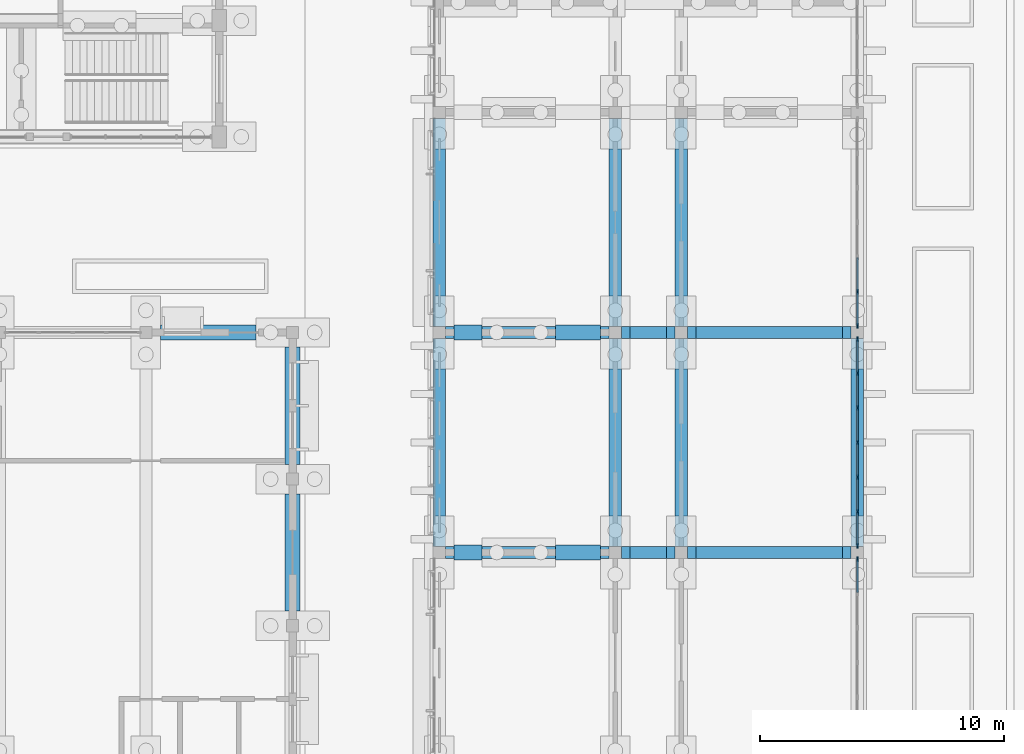
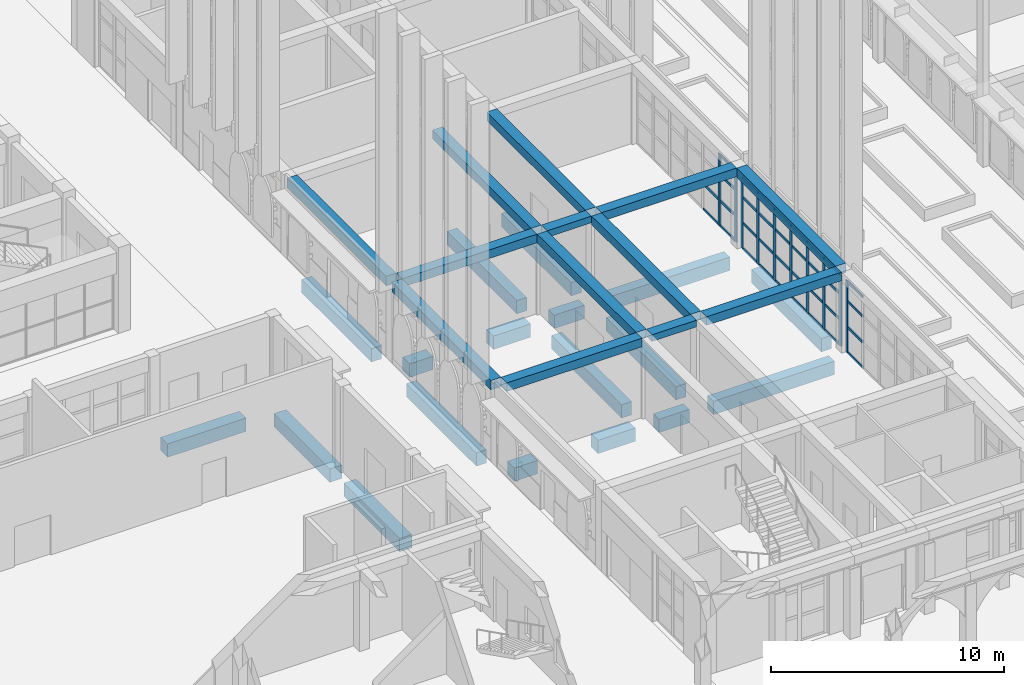
# One storey, part 24 of 161: 44 members, 31 beams, 3 elements without a shape of their own.
"""IFC4 building model written with IfcOpenShell, lengths in metres."""

import ifcopenshell
import ifcopenshell.guid

model = None  # the IFC model being written
_history = None  # IfcOwnerHistory: only IFC2X3 demands one
_inside = {}  # id of a spatial element -> (the spatial element, [elements in it])
_under = {}  # id of a project, library or spatial element -> (it, [spatial elements below it])
_declared = {}  # id of a project -> (the project, [libraries it declares])
_typed = {}  # id of a type object -> (the type object, [elements of that type])
_made_of = {}  # id of a material, layer set ... -> (it, [elements and type objects made of it])


def new_model(schema):
    """Start an empty IFC model of exactly this schema.

    Asked for "IFC4X3", IfcOpenShell would pick the latest addendum, in which some entities
    have other attributes; the version numbers below select the first issue.
    IFC2X3 requires an IfcOwnerHistory on every rooted entity: one is made here for all.
    """
    global model, _history
    if schema == "IFC4X3":
        model = ifcopenshell.file(schema_version=(4, 3, 0, 0))
    else:
        model = ifcopenshell.file(schema=schema)
    _inside.clear()
    _under.clear()
    _declared.clear()
    _typed.clear()
    _made_of.clear()
    _history = None
    if model.schema == "IFC2X3":
        org = make("IfcOrganization", Name="unknown")
        user = make(
            "IfcPersonAndOrganization",
            ThePerson=make("IfcPerson", FamilyName="unknown"),
            TheOrganization=org,
        )
        app = make(
            "IfcApplication",
            ApplicationDeveloper=org,
            Version="unknown",
            ApplicationFullName="unknown",
            ApplicationIdentifier="unknown",
        )
        _history = make(
            "IfcOwnerHistory",
            OwningUser=user,
            OwningApplication=app,
            ChangeAction="ADDED",
            CreationDate=0,
        )
    return model


def make(cls, **values):
    """One entity of the class cls with the attributes given. An attribute that is None is left unset."""
    return model.create_entity(
        cls, **{name: value for name, value in values.items() if value is not None}
    )


def rooted(cls, **values):
    """An entity with a GlobalId (a new one), such as an element, a storey or a relation."""
    return make(cls, GlobalId=ifcopenshell.guid.new(), OwnerHistory=_history, **values)


def si_unit(unit_type, name, prefix=None):
    """IfcSIUnit, for example si_unit("LENGTHUNIT", "METRE", prefix="MILLI")."""
    return make("IfcSIUnit", UnitType=unit_type, Prefix=prefix, Name=name)


def assignment(units):
    """IfcUnitAssignment: the units of a project."""
    return None if units is None else make("IfcUnitAssignment", Units=units)


def point(xyz):
    """IfcCartesianPoint."""
    return None if xyz is None else make("IfcCartesianPoint", Coordinates=xyz)


def direction(xyz):
    """IfcDirection."""
    return None if xyz is None else make("IfcDirection", DirectionRatios=xyz)


def frame(location, z_axis=None, x_axis=None):
    """IfcAxis2Placement3D, a coordinate frame: its origin and axes. An axis left out is left unset."""
    return make(
        "IfcAxis2Placement3D",
        Location=point(location),
        Axis=direction(z_axis),
        RefDirection=direction(x_axis),
    )


def frame_2d(location, x_axis=None):
    """IfcAxis2Placement2D, a coordinate frame in the plane: its origin and x axis."""
    return make(
        "IfcAxis2Placement2D", Location=point(location), RefDirection=direction(x_axis)
    )


def origin():
    """The frame at (0, 0, 0) with its axes left unset."""
    return frame((0.0, 0.0, 0.0))


def origin_2d():
    """The frame at (0, 0) in the plane with its x axis left unset."""
    return frame_2d((0.0, 0.0))


def place(relative_to, where):
    """IfcLocalPlacement: puts the frame where relative to a parent placement (None: the world)."""
    return make(
        "IfcLocalPlacement", PlacementRelTo=relative_to, RelativePlacement=where
    )


def context(
    kind, dimensions, precision=None, world=None, true_north=None, identifier=None
):
    """IfcGeometricRepresentationContext, for example the 3D "Model" context."""
    return make(
        "IfcGeometricRepresentationContext",
        ContextIdentifier=identifier,
        ContextType=kind,
        CoordinateSpaceDimension=dimensions,
        Precision=precision,
        WorldCoordinateSystem=world,
        TrueNorth=true_north,
    )


def subcontext(parent, identifier, kind, view, scale=None):
    """IfcGeometricRepresentationSubContext, for example "Body" below "Model"."""
    return make(
        "IfcGeometricRepresentationSubContext",
        ContextIdentifier=identifier,
        ContextType=kind,
        ParentContext=parent,
        TargetScale=scale,
        TargetView=view,
    )


def project(units=None, contexts=None):
    """IfcProject with its units and contexts."""
    return rooted(
        "IfcProject",
        Name="project",
        RepresentationContexts=contexts,
        UnitsInContext=assignment(units),
    )


def spatial(cls, under=None, at=None, **own):
    """A site, building, storey or space (cls), placed at a placement, below another one or the project."""
    s = rooted(cls, ObjectPlacement=at, **own)
    if under is not None:
        _under.setdefault(under.id(), (under, []))[1].append(s)
    return s


def profile(cls, at=None, kind="AREA", **sizes):
    """A parametric profile (cls). Its sizes go by their IFC names, for example OverallWidth=200.0."""
    return make(cls, ProfileType=kind, Position=at, **sizes)


def rectangle(**sizes):
    """IfcRectangleProfileDef."""
    return profile("IfcRectangleProfileDef", **sizes)


def extrude(swept, where, along, depth):
    """IfcExtrudedAreaSolid: the profile swept, set in the frame where, extruded along a direction by depth."""
    return make(
        "IfcExtrudedAreaSolid",
        SweptArea=swept,
        Position=where,
        ExtrudedDirection=direction(along),
        Depth=depth,
    )


def shape(context_of_items, identifier, shape_type, items):
    """IfcShapeRepresentation: the items that make up one representation, for example the "Body"."""
    return make(
        "IfcShapeRepresentation",
        ContextOfItems=context_of_items,
        RepresentationIdentifier=identifier,
        RepresentationType=shape_type,
        Items=items,
    )


def material(Name=None, Category=None):
    """IfcMaterial."""
    return make("IfcMaterial", Name=Name, Category=Category)


def layer(
    of_material, thickness, ventilated=None, Name=None, Category=None, Priority=None
):
    """IfcMaterialLayer: one layer of a wall or slab, of a material (None: an air gap)."""
    return make(
        "IfcMaterialLayer",
        Material=of_material,
        LayerThickness=thickness,
        IsVentilated=ventilated,
        Name=Name,
        Category=Category,
        Priority=Priority,
    )


def layer_set(layers, Name=None):
    """IfcMaterialLayerSet."""
    return make("IfcMaterialLayerSet", MaterialLayers=layers, LayerSetName=Name)


def material_profile(
    of_material, cross_section, Name=None, Category=None, Priority=None
):
    """IfcMaterialProfile: a cross section and its material."""
    return make(
        "IfcMaterialProfile",
        Name=Name,
        Material=of_material,
        Profile=cross_section,
        Priority=Priority,
        Category=Category,
    )


def profile_set(profiles, Name=None, composite=None):
    """IfcMaterialProfileSet."""
    return make(
        "IfcMaterialProfileSet",
        Name=Name,
        MaterialProfiles=profiles,
        CompositeProfile=composite,
    )


def made_of(thing, what):
    """Note that an element or type object is made of a material, layer set ...; save() writes the relation."""
    if what is not None:
        _made_of.setdefault(what.id(), (what, []))[1].append(thing)
    return thing


def type_object(cls, material=None, **own):
    """A type object (cls), such as IfcWallType, which elements share."""
    return made_of(rooted(cls, **own), material)


def element(
    cls,
    number,
    at=None,
    inside=None,
    cuts=None,
    type_object=None,
    material=None,
    context=None,
    identifier="Body",
    shape_type=None,
    held_by="IfcProductDefinitionShape",
    body=None,
    shapes=None,
    **own,
):
    """One element of the class cls, such as IfcWall. Its Tag is "e" and its number.

    at: its placement. inside: the storey or other place that contains it. cuts: it is an
    opening in that element (IfcRelVoidsElement). A single representation is given by context,
    identifier, shape_type and body (its items); several are given by shapes. held_by: the class
    of the entity that holds the representations. save() writes the other relations.
    """
    e = rooted(cls, Tag="e%d" % number, ObjectPlacement=at, **own)
    if body is not None:
        shapes = [shape(context, identifier, shape_type, body)]
    if shapes is not None:
        e.Representation = make(held_by, Representations=shapes)
    if inside is not None:
        _inside.setdefault(inside.id(), (inside, []))[1].append(e)
    if cuts is not None:
        rooted(
            "IfcRelVoidsElement", RelatingBuildingElement=cuts, RelatedOpeningElement=e
        )
    if type_object is not None:
        _typed.setdefault(type_object.id(), (type_object, []))[1].append(e)
    return made_of(e, material)


def aggregate(whole, parts):
    """IfcRelAggregates: a whole, such as a stair, and the parts it consists of."""
    return rooted("IfcRelAggregates", RelatingObject=whole, RelatedObjects=parts)


def save(model, path):
    """Write the relations noted so far, then the file.

    IfcRelAggregates (storeys below a building ...), IfcRelContainedInSpatialStructure (elements
    in a storey), IfcRelDefinesByType, IfcRelAssociatesMaterial and IfcRelDeclares: one each for
    every whole, place, type object, material and project.
    """
    for whole, parts in _under.values():
        aggregate(whole, parts)
    for where, things in _inside.values():
        rooted(
            "IfcRelContainedInSpatialStructure",
            RelatedElements=things,
            RelatingStructure=where,
        )
    for kind, things in _typed.values():
        rooted("IfcRelDefinesByType", RelatedObjects=things, RelatingType=kind)
    for what, things in _made_of.values():
        rooted("IfcRelAssociatesMaterial", RelatedObjects=things, RelatingMaterial=what)
    for by, libraries in _declared.values():
        rooted("IfcRelDeclares", RelatingContext=by, RelatedDefinitions=libraries)
    model.write(path)


model = new_model("IFC4")

# Units and contexts
model_context = context("Model", 3, precision=1e-05, world=origin(), true_north=direction((0.0, 1.0)))
body_context = subcontext(model_context, "Body", "Model", "MODEL_VIEW")
ifc_project = project(units=[si_unit("LENGTHUNIT", "METRE"), si_unit("AREAUNIT", "SQUARE_METRE"), si_unit("VOLUMEUNIT", "CUBIC_METRE"), si_unit("PLANEANGLEUNIT", "RADIAN"), si_unit("MASSUNIT", "GRAM", prefix="KILO")], contexts=[model_context])

# Site, building, storey
site_placement = place(None, origin())
site = spatial("IfcSite", under=ifc_project, at=site_placement, CompositionType="ELEMENT")
building_placement = place(site_placement, origin())
building = spatial("IfcBuilding", under=site, at=building_placement, Name="Elbe Cascade School", CompositionType="ELEMENT")
storey_placement = place(building_placement, origin())
storey = spatial("IfcBuildingStorey", under=building, at=storey_placement, Name="L00", CompositionType="ELEMENT", Elevation=0.0)

# Curtain wall, member
ifc_material_1 = material(Name="Aluminium frame with double glazing, bronze anodised", Category="aluminium")
ifc_layer = layer(ifc_material_1, 0.199951171875)
ifc_layer_set = layer_set([ifc_layer], Name="Aluminium frame with double glazing, bronze anodised")
curtain_wall_type = type_object("IfcCurtainWallType", Name="Bars envelope Curtain wall, aluminium, bronze anodised, ground floor tall run", PredefinedType="NOTDEFINED", material=ifc_layer_set)
curtain_wall_1_placement = place(storey_placement, origin())
curtain_wall_1 = element("IfcCurtainWall", 1, at=curtain_wall_1_placement, inside=storey, type_object=curtain_wall_type, Name="Curtain wall CW3 A.L00.e2", PredefinedType="NOTDEFINED")
ifc_material_2 = material(Name="Aluminium mullion, bronze anodised", Category="aluminium")
ifc_material_profile_1 = material_profile(ifc_material_2, rectangle(XDim=0.06005859375, YDim=0.199951171875, at=origin_2d()), Name="Bars envelope Curtain wall mullion 60 x 200, aluminium, ground floor tall run")
ifc_profile_set_1 = profile_set([ifc_material_profile_1], Name="Aluminium mullion, bronze anodised")
member_type_1 = type_object("IfcMemberType", Name="Bars envelope Curtain wall mullion 60 x 200, aluminium, ground floor tall run", PredefinedType="MULLION", material=ifc_profile_set_1)
member_1_placement = place(storey_placement, frame((86.10009765625, 23.719970703125, 0.0), z_axis=(0.0, 0.0, 1.0), x_axis=(1.0, 0.0, 0.0)))
member_1 = element("IfcMember", 2, at=member_1_placement, type_object=member_type_1, Name="CW3 mullion 1", PredefinedType="MULLION", context=body_context, shape_type="SweptSolid", body=[
    extrude(rectangle(XDim=0.06005859375, YDim=0.199951171875, at=origin_2d()), origin(), (0.0, 0.0, 1.0), 3.75),
])

# Curtain wall, members
curtain_wall_2_placement = place(storey_placement, origin())
curtain_wall_2 = element("IfcCurtainWall", 3, at=curtain_wall_2_placement, inside=storey, type_object=curtain_wall_type, Name="Curtain wall CW3 A.L00.e3", PredefinedType="NOTDEFINED")
member_2_placement = place(storey_placement, frame((86.10009765625, 32.719970703125, 0.0), z_axis=(0.0, 0.0, 1.0), x_axis=(1.0, 0.0, 0.0)))
member_2 = element("IfcMember", 4, at=member_2_placement, type_object=member_type_1, Name="CW3 mullion 1", PredefinedType="MULLION", context=body_context, shape_type="SweptSolid", body=[
    extrude(rectangle(XDim=0.06005859375, YDim=0.199951171875, at=origin_2d()), origin(), (0.0, 0.0, 1.0), 3.75),
])
member_3_placement = place(storey_placement, frame((86.10009765625, 31.333251953125, 0.0), z_axis=(0.0, 0.0, 1.0), x_axis=(1.0, 0.0, 0.0)))
member_3 = element("IfcMember", 5, at=member_3_placement, type_object=member_type_1, Name="CW3 mullion 2", PredefinedType="MULLION", context=body_context, shape_type="SweptSolid", body=[
    extrude(rectangle(XDim=0.06005859375, YDim=0.199951171875, at=origin_2d()), origin(), (0.0, 0.0, 1.0), 3.75),
])
member_4_placement = place(storey_placement, frame((86.10009765625, 29.916748046875, 0.0), z_axis=(0.0, 0.0, 1.0), x_axis=(1.0, 0.0, 0.0)))
member_4 = element("IfcMember", 6, at=member_4_placement, type_object=member_type_1, Name="CW3 mullion 3", PredefinedType="MULLION", context=body_context, shape_type="SweptSolid", body=[
    extrude(rectangle(XDim=0.06005859375, YDim=0.199951171875, at=origin_2d()), origin(), (0.0, 0.0, 1.0), 3.75),
])
member_5_placement = place(storey_placement, frame((86.10009765625, 28.5, 0.0), z_axis=(0.0, 0.0, 1.0), x_axis=(1.0, 0.0, 0.0)))
member_5 = element("IfcMember", 7, at=member_5_placement, type_object=member_type_1, Name="CW3 mullion 4", PredefinedType="MULLION", context=body_context, shape_type="SweptSolid", body=[
    extrude(rectangle(XDim=0.06005859375, YDim=0.199951171875, at=origin_2d()), origin(), (0.0, 0.0, 1.0), 3.75),
])
member_6_placement = place(storey_placement, frame((86.10009765625, 27.083251953125, 0.0), z_axis=(0.0, 0.0, 1.0), x_axis=(1.0, 0.0, 0.0)))
member_6 = element("IfcMember", 8, at=member_6_placement, type_object=member_type_1, Name="CW3 mullion 5", PredefinedType="MULLION", context=body_context, shape_type="SweptSolid", body=[
    extrude(rectangle(XDim=0.06005859375, YDim=0.199951171875, at=origin_2d()), origin(), (0.0, 0.0, 1.0), 3.75),
])
member_7_placement = place(storey_placement, frame((86.10009765625, 25.666748046875, 0.0), z_axis=(0.0, 0.0, 1.0), x_axis=(1.0, 0.0, 0.0)))
member_7 = element("IfcMember", 9, at=member_7_placement, type_object=member_type_1, Name="CW3 mullion 6", PredefinedType="MULLION", context=body_context, shape_type="SweptSolid", body=[
    extrude(rectangle(XDim=0.06005859375, YDim=0.199951171875, at=origin_2d()), origin(), (0.0, 0.0, 1.0), 3.75),
])
member_8_placement = place(storey_placement, frame((86.10009765625, 24.280029296875, 0.0), z_axis=(0.0, 0.0, 1.0), x_axis=(1.0, 0.0, 0.0)))
member_8 = element("IfcMember", 10, at=member_8_placement, type_object=member_type_1, Name="CW3 mullion 7", PredefinedType="MULLION", context=body_context, shape_type="SweptSolid", body=[
    extrude(rectangle(XDim=0.06005859375, YDim=0.199951171875, at=origin_2d()), origin(), (0.0, 0.0, 1.0), 3.75),
])

curtain_wall_3_placement = place(storey_placement, origin())
curtain_wall_3 = element("IfcCurtainWall", 11, at=curtain_wall_3_placement, inside=storey, type_object=curtain_wall_type, Name="Curtain wall CW3 A.L00.e4", PredefinedType="NOTDEFINED")
member_9_placement = place(storey_placement, frame((86.10009765625, 34.666748046875, 0.0), z_axis=(0.0, 0.0, 1.0), x_axis=(1.0, 0.0, 0.0)))
member_9 = element("IfcMember", 12, at=member_9_placement, type_object=member_type_1, Name="CW3 mullion 6", PredefinedType="MULLION", context=body_context, shape_type="SweptSolid", body=[
    extrude(rectangle(XDim=0.06005859375, YDim=0.199951171875, at=origin_2d()), origin(), (0.0, 0.0, 1.0), 3.75),
])
member_10_placement = place(storey_placement, frame((86.10009765625, 33.280029296875, 0.0), z_axis=(0.0, 0.0, 1.0), x_axis=(1.0, 0.0, 0.0)))
member_10 = element("IfcMember", 13, at=member_10_placement, type_object=member_type_1, Name="CW3 mullion 7", PredefinedType="MULLION", context=body_context, shape_type="SweptSolid", body=[
    extrude(rectangle(XDim=0.06005859375, YDim=0.199951171875, at=origin_2d()), origin(), (0.0, 0.0, 1.0), 3.75),
])

# Member
ifc_material_3 = material(Name="Aluminium transom, bronze anodised", Category="aluminium")
ifc_material_profile_2 = material_profile(ifc_material_3, rectangle(XDim=0.06005859375, YDim=0.139892578125, at=origin_2d()), Name="Bars envelope Curtain wall transom 60 x 140, aluminium, ground floor tall run")
ifc_profile_set_2 = profile_set([ifc_material_profile_2], Name="Aluminium transom, bronze anodised")
member_type_2 = type_object("IfcMemberType", Name="Bars envelope Curtain wall transom 60 x 140, aluminium, ground floor tall run", PredefinedType="USERDEFINED", material=ifc_profile_set_2)
member_11_placement = place(storey_placement, frame((86.10009765625, 23.68994140625, 0.030029296875), z_axis=(0.0, -1.0, 0.0), x_axis=(1.0, 0.0, 0.0)))
member_11 = element("IfcMember", 14, at=member_11_placement, type_object=member_type_2, Name="CW3 transom 1.1", ObjectType="TRANSOM", PredefinedType="USERDEFINED", context=body_context, shape_type="SweptSolid", body=[
    extrude(rectangle(XDim=0.06005859375, YDim=0.139892578125, at=origin_2d()), origin(), (0.0, 0.0, 1.0), 1.32666015625),
])

member_12_placement = place(storey_placement, frame((86.10009765625, 23.68994140625, 1.35009765625), z_axis=(0.0, -1.0, 0.0), x_axis=(1.0, 0.0, 0.0)))
member_12 = element("IfcMember", 15, at=member_12_placement, type_object=member_type_2, Name="CW3 transom 1.2", ObjectType="TRANSOM", PredefinedType="USERDEFINED", context=body_context, shape_type="SweptSolid", body=[
    extrude(rectangle(XDim=0.06005859375, YDim=0.139892578125, at=origin_2d()), origin(), (0.0, 0.0, 1.0), 1.32666015625),
])

member_13_placement = place(storey_placement, frame((86.10009765625, 23.68994140625, 2.699951171875), z_axis=(0.0, -1.0, 0.0), x_axis=(1.0, 0.0, 0.0)))
member_13 = element("IfcMember", 16, at=member_13_placement, type_object=member_type_2, Name="CW3 transom 1.3", ObjectType="TRANSOM", PredefinedType="USERDEFINED", context=body_context, shape_type="SweptSolid", body=[
    extrude(rectangle(XDim=0.06005859375, YDim=0.139892578125, at=origin_2d()), origin(), (0.0, 0.0, 1.0), 1.32666015625),
])

member_14_placement = place(storey_placement, frame((86.10009765625, 23.68994140625, 3.719970703125), z_axis=(0.0, -1.0, 0.0), x_axis=(1.0, 0.0, 0.0)))
member_14 = element("IfcMember", 17, at=member_14_placement, type_object=member_type_2, Name="CW3 transom 1.4", ObjectType="TRANSOM", PredefinedType="USERDEFINED", context=body_context, shape_type="SweptSolid", body=[
    extrude(rectangle(XDim=0.06005859375, YDim=0.139892578125, at=origin_2d()), origin(), (0.0, 0.0, 1.0), 1.32666015625),
])

aggregate(curtain_wall_1, [member_1, member_11, member_12, member_13, member_14])

member_15_placement = place(storey_placement, frame((86.10009765625, 32.68994140625, 0.030029296875), z_axis=(0.0, -1.0, 0.0), x_axis=(1.0, 0.0, 0.0)))
member_15 = element("IfcMember", 18, at=member_15_placement, type_object=member_type_2, Name="CW3 transom 1.1", ObjectType="TRANSOM", PredefinedType="USERDEFINED", context=body_context, shape_type="SweptSolid", body=[
    extrude(rectangle(XDim=0.06005859375, YDim=0.139892578125, at=origin_2d()), origin(), (0.0, 0.0, 1.0), 1.32666015625),
])

member_16_placement = place(storey_placement, frame((86.10009765625, 32.68994140625, 1.35009765625), z_axis=(0.0, -1.0, 0.0), x_axis=(1.0, 0.0, 0.0)))
member_16 = element("IfcMember", 19, at=member_16_placement, type_object=member_type_2, Name="CW3 transom 1.2", ObjectType="TRANSOM", PredefinedType="USERDEFINED", context=body_context, shape_type="SweptSolid", body=[
    extrude(rectangle(XDim=0.06005859375, YDim=0.139892578125, at=origin_2d()), origin(), (0.0, 0.0, 1.0), 1.32666015625),
])

member_17_placement = place(storey_placement, frame((86.10009765625, 32.68994140625, 2.699951171875), z_axis=(0.0, -1.0, 0.0), x_axis=(1.0, 0.0, 0.0)))
member_17 = element("IfcMember", 20, at=member_17_placement, type_object=member_type_2, Name="CW3 transom 1.3", ObjectType="TRANSOM", PredefinedType="USERDEFINED", context=body_context, shape_type="SweptSolid", body=[
    extrude(rectangle(XDim=0.06005859375, YDim=0.139892578125, at=origin_2d()), origin(), (0.0, 0.0, 1.0), 1.32666015625),
])

member_18_placement = place(storey_placement, frame((86.10009765625, 32.68994140625, 3.719970703125), z_axis=(0.0, -1.0, 0.0), x_axis=(1.0, 0.0, 0.0)))
member_18 = element("IfcMember", 21, at=member_18_placement, type_object=member_type_2, Name="CW3 transom 1.4", ObjectType="TRANSOM", PredefinedType="USERDEFINED", context=body_context, shape_type="SweptSolid", body=[
    extrude(rectangle(XDim=0.06005859375, YDim=0.139892578125, at=origin_2d()), origin(), (0.0, 0.0, 1.0), 1.32666015625),
])

member_19_placement = place(storey_placement, frame((86.10009765625, 31.30322265625, 0.030029296875), z_axis=(0.0, -1.0, 0.0), x_axis=(1.0, 0.0, 0.0)))
member_19 = element("IfcMember", 22, at=member_19_placement, type_object=member_type_2, Name="CW3 transom 2.1", ObjectType="TRANSOM", PredefinedType="USERDEFINED", context=body_context, shape_type="SweptSolid", body=[
    extrude(rectangle(XDim=0.06005859375, YDim=0.139892578125, at=origin_2d()), origin(), (0.0, 0.0, 1.0), 1.3564453125),
])

member_20_placement = place(storey_placement, frame((86.10009765625, 31.30322265625, 1.35009765625), z_axis=(0.0, -1.0, 0.0), x_axis=(1.0, 0.0, 0.0)))
member_20 = element("IfcMember", 23, at=member_20_placement, type_object=member_type_2, Name="CW3 transom 2.2", ObjectType="TRANSOM", PredefinedType="USERDEFINED", context=body_context, shape_type="SweptSolid", body=[
    extrude(rectangle(XDim=0.06005859375, YDim=0.139892578125, at=origin_2d()), origin(), (0.0, 0.0, 1.0), 1.3564453125),
])

member_21_placement = place(storey_placement, frame((86.10009765625, 31.30322265625, 2.699951171875), z_axis=(0.0, -1.0, 0.0), x_axis=(1.0, 0.0, 0.0)))
member_21 = element("IfcMember", 24, at=member_21_placement, type_object=member_type_2, Name="CW3 transom 2.3", ObjectType="TRANSOM", PredefinedType="USERDEFINED", context=body_context, shape_type="SweptSolid", body=[
    extrude(rectangle(XDim=0.06005859375, YDim=0.139892578125, at=origin_2d()), origin(), (0.0, 0.0, 1.0), 1.3564453125),
])

member_22_placement = place(storey_placement, frame((86.10009765625, 31.30322265625, 3.719970703125), z_axis=(0.0, -1.0, 0.0), x_axis=(1.0, 0.0, 0.0)))
member_22 = element("IfcMember", 25, at=member_22_placement, type_object=member_type_2, Name="CW3 transom 2.4", ObjectType="TRANSOM", PredefinedType="USERDEFINED", context=body_context, shape_type="SweptSolid", body=[
    extrude(rectangle(XDim=0.06005859375, YDim=0.139892578125, at=origin_2d()), origin(), (0.0, 0.0, 1.0), 1.3564453125),
])

member_23_placement = place(storey_placement, frame((86.10009765625, 29.88671875, 0.030029296875), z_axis=(0.0, -1.0, 0.0), x_axis=(1.0, 0.0, 0.0)))
member_23 = element("IfcMember", 26, at=member_23_placement, type_object=member_type_2, Name="CW3 transom 3.1", ObjectType="TRANSOM", PredefinedType="USERDEFINED", context=body_context, shape_type="SweptSolid", body=[
    extrude(rectangle(XDim=0.06005859375, YDim=0.139892578125, at=origin_2d()), origin(), (0.0, 0.0, 1.0), 1.356689453125),
])

member_24_placement = place(storey_placement, frame((86.10009765625, 29.88671875, 1.35009765625), z_axis=(0.0, -1.0, 0.0), x_axis=(1.0, 0.0, 0.0)))
member_24 = element("IfcMember", 27, at=member_24_placement, type_object=member_type_2, Name="CW3 transom 3.2", ObjectType="TRANSOM", PredefinedType="USERDEFINED", context=body_context, shape_type="SweptSolid", body=[
    extrude(rectangle(XDim=0.06005859375, YDim=0.139892578125, at=origin_2d()), origin(), (0.0, 0.0, 1.0), 1.356689453125),
])

member_25_placement = place(storey_placement, frame((86.10009765625, 29.88671875, 2.699951171875), z_axis=(0.0, -1.0, 0.0), x_axis=(1.0, 0.0, 0.0)))
member_25 = element("IfcMember", 28, at=member_25_placement, type_object=member_type_2, Name="CW3 transom 3.3", ObjectType="TRANSOM", PredefinedType="USERDEFINED", context=body_context, shape_type="SweptSolid", body=[
    extrude(rectangle(XDim=0.06005859375, YDim=0.139892578125, at=origin_2d()), origin(), (0.0, 0.0, 1.0), 1.356689453125),
])

member_26_placement = place(storey_placement, frame((86.10009765625, 29.88671875, 3.719970703125), z_axis=(0.0, -1.0, 0.0), x_axis=(1.0, 0.0, 0.0)))
member_26 = element("IfcMember", 29, at=member_26_placement, type_object=member_type_2, Name="CW3 transom 3.4", ObjectType="TRANSOM", PredefinedType="USERDEFINED", context=body_context, shape_type="SweptSolid", body=[
    extrude(rectangle(XDim=0.06005859375, YDim=0.139892578125, at=origin_2d()), origin(), (0.0, 0.0, 1.0), 1.356689453125),
])

member_27_placement = place(storey_placement, frame((86.10009765625, 28.469970703125, 0.030029296875), z_axis=(0.0, -1.0, 0.0), x_axis=(1.0, 0.0, 0.0)))
member_27 = element("IfcMember", 30, at=member_27_placement, type_object=member_type_2, Name="CW3 transom 4.1", ObjectType="TRANSOM", PredefinedType="USERDEFINED", context=body_context, shape_type="SweptSolid", body=[
    extrude(rectangle(XDim=0.06005859375, YDim=0.139892578125, at=origin_2d()), origin(), (0.0, 0.0, 1.0), 1.356689453125),
])

member_28_placement = place(storey_placement, frame((86.10009765625, 28.469970703125, 1.35009765625), z_axis=(0.0, -1.0, 0.0), x_axis=(1.0, 0.0, 0.0)))
member_28 = element("IfcMember", 31, at=member_28_placement, type_object=member_type_2, Name="CW3 transom 4.2", ObjectType="TRANSOM", PredefinedType="USERDEFINED", context=body_context, shape_type="SweptSolid", body=[
    extrude(rectangle(XDim=0.06005859375, YDim=0.139892578125, at=origin_2d()), origin(), (0.0, 0.0, 1.0), 1.356689453125),
])

member_29_placement = place(storey_placement, frame((86.10009765625, 28.469970703125, 2.699951171875), z_axis=(0.0, -1.0, 0.0), x_axis=(1.0, 0.0, 0.0)))
member_29 = element("IfcMember", 32, at=member_29_placement, type_object=member_type_2, Name="CW3 transom 4.3", ObjectType="TRANSOM", PredefinedType="USERDEFINED", context=body_context, shape_type="SweptSolid", body=[
    extrude(rectangle(XDim=0.06005859375, YDim=0.139892578125, at=origin_2d()), origin(), (0.0, 0.0, 1.0), 1.356689453125),
])

member_30_placement = place(storey_placement, frame((86.10009765625, 28.469970703125, 3.719970703125), z_axis=(0.0, -1.0, 0.0), x_axis=(1.0, 0.0, 0.0)))
member_30 = element("IfcMember", 33, at=member_30_placement, type_object=member_type_2, Name="CW3 transom 4.4", ObjectType="TRANSOM", PredefinedType="USERDEFINED", context=body_context, shape_type="SweptSolid", body=[
    extrude(rectangle(XDim=0.06005859375, YDim=0.139892578125, at=origin_2d()), origin(), (0.0, 0.0, 1.0), 1.356689453125),
])

member_31_placement = place(storey_placement, frame((86.10009765625, 27.05322265625, 0.030029296875), z_axis=(0.0, -1.0, 0.0), x_axis=(1.0, 0.0, 0.0)))
member_31 = element("IfcMember", 34, at=member_31_placement, type_object=member_type_2, Name="CW3 transom 5.1", ObjectType="TRANSOM", PredefinedType="USERDEFINED", context=body_context, shape_type="SweptSolid", body=[
    extrude(rectangle(XDim=0.06005859375, YDim=0.139892578125, at=origin_2d()), origin(), (0.0, 0.0, 1.0), 1.3564453125),
])

member_32_placement = place(storey_placement, frame((86.10009765625, 27.05322265625, 1.35009765625), z_axis=(0.0, -1.0, 0.0), x_axis=(1.0, 0.0, 0.0)))
member_32 = element("IfcMember", 35, at=member_32_placement, type_object=member_type_2, Name="CW3 transom 5.2", ObjectType="TRANSOM", PredefinedType="USERDEFINED", context=body_context, shape_type="SweptSolid", body=[
    extrude(rectangle(XDim=0.06005859375, YDim=0.139892578125, at=origin_2d()), origin(), (0.0, 0.0, 1.0), 1.3564453125),
])

member_33_placement = place(storey_placement, frame((86.10009765625, 27.05322265625, 2.699951171875), z_axis=(0.0, -1.0, 0.0), x_axis=(1.0, 0.0, 0.0)))
member_33 = element("IfcMember", 36, at=member_33_placement, type_object=member_type_2, Name="CW3 transom 5.3", ObjectType="TRANSOM", PredefinedType="USERDEFINED", context=body_context, shape_type="SweptSolid", body=[
    extrude(rectangle(XDim=0.06005859375, YDim=0.139892578125, at=origin_2d()), origin(), (0.0, 0.0, 1.0), 1.3564453125),
])

member_34_placement = place(storey_placement, frame((86.10009765625, 27.05322265625, 3.719970703125), z_axis=(0.0, -1.0, 0.0), x_axis=(1.0, 0.0, 0.0)))
member_34 = element("IfcMember", 37, at=member_34_placement, type_object=member_type_2, Name="CW3 transom 5.4", ObjectType="TRANSOM", PredefinedType="USERDEFINED", context=body_context, shape_type="SweptSolid", body=[
    extrude(rectangle(XDim=0.06005859375, YDim=0.139892578125, at=origin_2d()), origin(), (0.0, 0.0, 1.0), 1.3564453125),
])

member_35_placement = place(storey_placement, frame((86.10009765625, 25.63671875, 0.030029296875), z_axis=(0.0, -1.0, 0.0), x_axis=(1.0, 0.0, 0.0)))
member_35 = element("IfcMember", 38, at=member_35_placement, type_object=member_type_2, Name="CW3 transom 6.1", ObjectType="TRANSOM", PredefinedType="USERDEFINED", context=body_context, shape_type="SweptSolid", body=[
    extrude(rectangle(XDim=0.06005859375, YDim=0.139892578125, at=origin_2d()), origin(), (0.0, 0.0, 1.0), 1.32666015625),
])

member_36_placement = place(storey_placement, frame((86.10009765625, 25.63671875, 1.35009765625), z_axis=(0.0, -1.0, 0.0), x_axis=(1.0, 0.0, 0.0)))
member_36 = element("IfcMember", 39, at=member_36_placement, type_object=member_type_2, Name="CW3 transom 6.2", ObjectType="TRANSOM", PredefinedType="USERDEFINED", context=body_context, shape_type="SweptSolid", body=[
    extrude(rectangle(XDim=0.06005859375, YDim=0.139892578125, at=origin_2d()), origin(), (0.0, 0.0, 1.0), 1.32666015625),
])

member_37_placement = place(storey_placement, frame((86.10009765625, 25.63671875, 2.699951171875), z_axis=(0.0, -1.0, 0.0), x_axis=(1.0, 0.0, 0.0)))
member_37 = element("IfcMember", 40, at=member_37_placement, type_object=member_type_2, Name="CW3 transom 6.3", ObjectType="TRANSOM", PredefinedType="USERDEFINED", context=body_context, shape_type="SweptSolid", body=[
    extrude(rectangle(XDim=0.06005859375, YDim=0.139892578125, at=origin_2d()), origin(), (0.0, 0.0, 1.0), 1.32666015625),
])

member_38_placement = place(storey_placement, frame((86.10009765625, 25.63671875, 3.719970703125), z_axis=(0.0, -1.0, 0.0), x_axis=(1.0, 0.0, 0.0)))
member_38 = element("IfcMember", 41, at=member_38_placement, type_object=member_type_2, Name="CW3 transom 6.4", ObjectType="TRANSOM", PredefinedType="USERDEFINED", context=body_context, shape_type="SweptSolid", body=[
    extrude(rectangle(XDim=0.06005859375, YDim=0.139892578125, at=origin_2d()), origin(), (0.0, 0.0, 1.0), 1.32666015625),
])

aggregate(curtain_wall_2, [member_2, member_3, member_4, member_5, member_6, member_7, member_8, member_15, member_16, member_17, member_18, member_19, member_20, member_21, member_22, member_23, member_24, member_25, member_26, member_27, member_28, member_29, member_30, member_31, member_32, member_33, member_34, member_35, member_36, member_37, member_38])

member_39_placement = place(storey_placement, frame((86.10009765625, 36.05322265625, 0.030029296875), z_axis=(0.0, -1.0, 0.0), x_axis=(1.0, 0.0, 0.0)))
member_39 = element("IfcMember", 42, at=member_39_placement, type_object=member_type_2, Name="CW3 transom 5.1", ObjectType="TRANSOM", PredefinedType="USERDEFINED", context=body_context, shape_type="SweptSolid", body=[
    extrude(rectangle(XDim=0.06005859375, YDim=0.139892578125, at=origin_2d()), origin(), (0.0, 0.0, 1.0), 1.3564453125),
])

member_40_placement = place(storey_placement, frame((86.10009765625, 36.05322265625, 1.35009765625), z_axis=(0.0, -1.0, 0.0), x_axis=(1.0, 0.0, 0.0)))
member_40 = element("IfcMember", 43, at=member_40_placement, type_object=member_type_2, Name="CW3 transom 5.2", ObjectType="TRANSOM", PredefinedType="USERDEFINED", context=body_context, shape_type="SweptSolid", body=[
    extrude(rectangle(XDim=0.06005859375, YDim=0.139892578125, at=origin_2d()), origin(), (0.0, 0.0, 1.0), 1.3564453125),
])

member_41_placement = place(storey_placement, frame((86.10009765625, 34.63671875, 0.030029296875), z_axis=(0.0, -1.0, 0.0), x_axis=(1.0, 0.0, 0.0)))
member_41 = element("IfcMember", 44, at=member_41_placement, type_object=member_type_2, Name="CW3 transom 6.1", ObjectType="TRANSOM", PredefinedType="USERDEFINED", context=body_context, shape_type="SweptSolid", body=[
    extrude(rectangle(XDim=0.06005859375, YDim=0.139892578125, at=origin_2d()), origin(), (0.0, 0.0, 1.0), 1.32666015625),
])

member_42_placement = place(storey_placement, frame((86.10009765625, 34.63671875, 1.35009765625), z_axis=(0.0, -1.0, 0.0), x_axis=(1.0, 0.0, 0.0)))
member_42 = element("IfcMember", 45, at=member_42_placement, type_object=member_type_2, Name="CW3 transom 6.2", ObjectType="TRANSOM", PredefinedType="USERDEFINED", context=body_context, shape_type="SweptSolid", body=[
    extrude(rectangle(XDim=0.06005859375, YDim=0.139892578125, at=origin_2d()), origin(), (0.0, 0.0, 1.0), 1.32666015625),
])

member_43_placement = place(storey_placement, frame((86.10009765625, 34.63671875, 2.699951171875), z_axis=(0.0, -1.0, 0.0), x_axis=(1.0, 0.0, 0.0)))
member_43 = element("IfcMember", 46, at=member_43_placement, type_object=member_type_2, Name="CW3 transom 6.3", ObjectType="TRANSOM", PredefinedType="USERDEFINED", context=body_context, shape_type="SweptSolid", body=[
    extrude(rectangle(XDim=0.06005859375, YDim=0.139892578125, at=origin_2d()), origin(), (0.0, 0.0, 1.0), 1.32666015625),
])

member_44_placement = place(storey_placement, frame((86.10009765625, 34.63671875, 3.719970703125), z_axis=(0.0, -1.0, 0.0), x_axis=(1.0, 0.0, 0.0)))
member_44 = element("IfcMember", 47, at=member_44_placement, type_object=member_type_2, Name="CW3 transom 6.4", ObjectType="TRANSOM", PredefinedType="USERDEFINED", context=body_context, shape_type="SweptSolid", body=[
    extrude(rectangle(XDim=0.06005859375, YDim=0.139892578125, at=origin_2d()), origin(), (0.0, 0.0, 1.0), 1.32666015625),
])

aggregate(curtain_wall_3, [member_9, member_10, member_39, member_40, member_41, member_42, member_43, member_44])

# Beams
ifc_material_4 = material(Name="Concrete C30/37", Category="concrete")
ifc_material_profile_3 = material_profile(ifc_material_4, rectangle(XDim=0.5, YDim=0.699951171875, at=origin_2d()), Name="RC 500x700")
ifc_profile_set_3 = profile_set([ifc_material_profile_3], Name="Concrete C30/37")
beam_type_1 = type_object("IfcBeamType", Name="Found ground beam RC 500x700", PredefinedType="BEAM", material=ifc_profile_set_3)
beam_1_placement = place(storey_placement, frame((76.800048828125, 24.0, -0.64990234375), z_axis=(1.0, 0.0, 0.0), x_axis=(0.0, 1.0, 0.0)))
element("IfcBeam", 48, at=beam_1_placement, inside=storey, type_object=beam_type_1, Name="Ground beam 180", PredefinedType="BEAM", context=body_context, shape_type="SweptSolid", body=[
    extrude(rectangle(XDim=0.5, YDim=0.699951171875, at=origin_2d()), origin(), (0.0, 0.0, 1.0), 1.5),
])
beam_2_placement = place(storey_placement, frame((79.5, 24.0, -0.64990234375), z_axis=(1.0, 0.0, 0.0), x_axis=(0.0, 1.0, 0.0)))
element("IfcBeam", 49, at=beam_2_placement, inside=storey, type_object=beam_type_1, Name="Ground beam 181", PredefinedType="BEAM", context=body_context, shape_type="SweptSolid", body=[
    extrude(rectangle(XDim=0.5, YDim=0.699951171875, at=origin_2d()), origin(), (0.0, 0.0, 1.0), 6.0),
])
beam_3_placement = place(storey_placement, frame((76.800048828125, 33.0, -0.64990234375), z_axis=(1.0, 0.0, 0.0), x_axis=(0.0, 1.0, 0.0)))
element("IfcBeam", 50, at=beam_3_placement, inside=storey, type_object=beam_type_1, Name="Ground beam 182", PredefinedType="BEAM", context=body_context, shape_type="SweptSolid", body=[
    extrude(rectangle(XDim=0.5, YDim=0.699951171875, at=origin_2d()), origin(), (0.0, 0.0, 1.0), 1.5),
])
for number, where, z_axis, x_axis, name in (
    (51, (79.5, 33.0, -0.64990234375), (1.0, 0.0, 0.0), (0.0, 1.0, 0.0), "Ground beam 183"),
    (52, (69.0, 25.5, -0.64990234375), (0.0, 1.0, 0.0), (-1.0, 0.0, 0.0), "Ground beam 187"),
    (53, (69.0, 34.5, -0.64990234375), (0.0, 1.0, 0.0), (-1.0, 0.0, 0.0), "Ground beam 188"),
    (54, (76.199951171875, 25.5, -0.64990234375), (0.0, 1.0, 0.0), (-1.0, 0.0, 0.0), "Ground beam 192"),
    (55, (76.199951171875, 34.5, -0.64990234375), (0.0, 1.0, 0.0), (-1.0, 0.0, 0.0), "Ground beam 193"),
    (56, (78.89990234375, 25.5, -0.64990234375), (0.0, 1.0, 0.0), (-1.0, 0.0, 0.0), "Ground beam 198"),
    (57, (78.89990234375, 34.5, -0.64990234375), (0.0, 1.0, 0.0), (-1.0, 0.0, 0.0), "Ground beam 199"),
    (58, (86.10009765625, 25.5, -0.64990234375), (0.0, 1.0, 0.0), (-1.0, 0.0, 0.0), "Ground beam 205"),
):
    element("IfcBeam", number, at=place(storey_placement, frame(where, z_axis=z_axis, x_axis=x_axis)), inside=storey, type_object=beam_type_1, Name=name, PredefinedType="BEAM", context=body_context, shape_type="SweptSolid", body=[
        extrude(rectangle(XDim=0.5, YDim=0.699951171875, at=origin_2d()), origin(), (0.0, 0.0, 1.0), 6.0),
    ])
ifc_material_5 = material(Name="Concrete C30/37", Category="concrete")
ifc_material_profile_4 = material_profile(ifc_material_5, rectangle(XDim=0.60009765625, YDim=0.699951171875, at=origin_2d()), Name="RC 600x700")
ifc_profile_set_4 = profile_set([ifc_material_profile_4], Name="Concrete C30/37")
beam_type_2 = type_object("IfcBeamType", Name="Found ground beam RC 600x700", PredefinedType="BEAM", material=ifc_profile_set_4)
for number, where, z_axis, x_axis, name in (
    (59, (63.0, 21.60009765625, -0.64990234375), (0.0, 1.0, 0.0), (-1.0, 0.0, 0.0), "Ground beam 109"),
    (60, (63.0, 27.60009765625, -0.64990234375), (0.0, 1.0, 0.0), (-1.0, 0.0, 0.0), "Ground beam 110"),
):
    element("IfcBeam", number, at=place(storey_placement, frame(where, z_axis=z_axis, x_axis=x_axis)), inside=storey, type_object=beam_type_2, Name=name, PredefinedType="BEAM", context=body_context, shape_type="SweptSolid", body=[
        extrude(rectangle(XDim=0.60009765625, YDim=0.699951171875, at=origin_2d()), origin(), (0.0, 0.0, 1.0), 4.7998046875),
    ])
beam_4_placement = place(storey_placement, frame((69.60009765625, 24.0, -0.64990234375), z_axis=(1.0, 0.0, 0.0), x_axis=(0.0, 1.0, 0.0)))
element("IfcBeam", 61, at=beam_4_placement, inside=storey, type_object=beam_type_2, Name="Ground beam 146", PredefinedType="BEAM", context=body_context, shape_type="SweptSolid", body=[
    extrude(rectangle(XDim=0.60009765625, YDim=0.699951171875, at=origin_2d()), origin(), (0.0, 0.0, 1.0), 1.14990234375),
])
beam_5_placement = place(storey_placement, frame((73.75, 24.0, -0.64990234375), z_axis=(1.0, 0.0, 0.0), x_axis=(0.0, 1.0, 0.0)))
element("IfcBeam", 62, at=beam_5_placement, inside=storey, type_object=beam_type_2, Name="Ground beam 147", PredefinedType="BEAM", context=body_context, shape_type="SweptSolid", body=[
    extrude(rectangle(XDim=0.60009765625, YDim=0.699951171875, at=origin_2d()), origin(), (0.0, 0.0, 1.0), 1.85009765625),
])
beam_6_placement = place(storey_placement, frame((69.60009765625, 33.0, -0.64990234375), z_axis=(1.0, 0.0, 0.0), x_axis=(0.0, 1.0, 0.0)))
element("IfcBeam", 63, at=beam_6_placement, inside=storey, type_object=beam_type_2, Name="Ground beam 148", PredefinedType="BEAM", context=body_context, shape_type="SweptSolid", body=[
    extrude(rectangle(XDim=0.60009765625, YDim=0.699951171875, at=origin_2d()), origin(), (0.0, 0.0, 1.0), 1.14990234375),
])
beam_7_placement = place(storey_placement, frame((73.75, 33.0, -0.64990234375), z_axis=(1.0, 0.0, 0.0), x_axis=(0.0, 1.0, 0.0)))
element("IfcBeam", 64, at=beam_7_placement, inside=storey, type_object=beam_type_2, Name="Ground beam 149", PredefinedType="BEAM", context=body_context, shape_type="SweptSolid", body=[
    extrude(rectangle(XDim=0.60009765625, YDim=0.699951171875, at=origin_2d()), origin(), (0.0, 0.0, 1.0), 1.85009765625),
])
beam_8_placement = place(storey_placement, frame((57.60009765625, 33.0, -0.64990234375), z_axis=(1.0, 0.0, 0.0), x_axis=(0.0, 1.0, 0.0)))
element("IfcBeam", 65, at=beam_8_placement, inside=storey, type_object=beam_type_2, Name="Ground beam 166", PredefinedType="BEAM", context=body_context, shape_type="SweptSolid", body=[
    extrude(rectangle(XDim=0.60009765625, YDim=0.699951171875, at=origin_2d()), origin(), (0.0, 0.0, 1.0), 3.89990234375),
])
ifc_material_6 = material(Name="Concrete C30/37", Category="concrete")
ifc_material_profile_5 = material_profile(ifc_material_6, rectangle(XDim=0.5, YDim=0.35009765625, at=origin_2d()), Name="RC 500x350")
ifc_profile_set_5 = profile_set([ifc_material_profile_5], Name="Concrete C30/37")
beam_type_3 = type_object("IfcBeamType", Name="RC 500x350 beam", PredefinedType="BEAM", material=ifc_profile_set_5)
for number, where, z_axis, x_axis, name in (
    (66, (76.449951171875, 24.0, 4.074951171875), (1.0, 0.0, 0.0), (0.0, 1.0, 0.0), "RC 500x350 beam B8"),
    (67, (76.449951171875, 33.0, 4.074951171875), (1.0, 0.0, 0.0), (0.0, 1.0, 0.0), "RC 500x350 beam B8"),
):
    element("IfcBeam", number, at=place(storey_placement, frame(where, z_axis=z_axis, x_axis=x_axis)), inside=storey, type_object=beam_type_3, Name=name, PredefinedType="BEAM", context=body_context, shape_type="SweptSolid", body=[
        extrude(rectangle(XDim=0.5, YDim=0.35009765625, at=origin_2d()), origin(), (0.0, 0.0, 1.0), 2.199951171875),
    ])
ifc_material_7 = material(Name="Concrete C30/37", Category="concrete")
ifc_material_profile_6 = material_profile(ifc_material_7, rectangle(XDim=0.5, YDim=0.449951171875, at=origin_2d()), Name="RC 500x450")
ifc_profile_set_6 = profile_set([ifc_material_profile_6], Name="Concrete C30/37")
beam_type_4 = type_object("IfcBeamType", Name="RC 500x450 beam", PredefinedType="BEAM", material=ifc_profile_set_6)
for number, where, z_axis, x_axis, name in (
    (68, (76.199951171875, 24.25, 4.02490234375), (0.0, 1.0, 0.0), (-1.0, 0.0, 0.0), "RC 500x450 beam B7"),
    (69, (76.199951171875, 33.25, 4.02490234375), (0.0, 1.0, 0.0), (-1.0, 0.0, 0.0), "RC 500x450 beam B7"),
    (70, (78.89990234375, 24.25, 4.02490234375), (0.0, 1.0, 0.0), (-1.0, 0.0, 0.0), "RC 500x450 beam B7"),
    (71, (78.89990234375, 33.25, 4.02490234375), (0.0, 1.0, 0.0), (-1.0, 0.0, 0.0), "RC 500x450 beam B7"),
):
    element("IfcBeam", number, at=place(storey_placement, frame(where, z_axis=z_axis, x_axis=x_axis)), inside=storey, type_object=beam_type_4, Name=name, PredefinedType="BEAM", context=body_context, shape_type="SweptSolid", body=[
        extrude(rectangle(XDim=0.5, YDim=0.449951171875, at=origin_2d()), origin(), (0.0, 0.0, 1.0), 8.5),
    ])
beam_9_placement = place(storey_placement, frame((69.25, 24.0, 4.02490234375), z_axis=(1.0, 0.0, 0.0), x_axis=(0.0, 1.0, 0.0)))
element("IfcBeam", 72, at=beam_9_placement, inside=storey, type_object=beam_type_4, Name="RC 500x450 beam B7", PredefinedType="BEAM", context=body_context, shape_type="SweptSolid", body=[
    extrude(rectangle(XDim=0.5, YDim=0.449951171875, at=origin_2d()), origin(), (0.0, 0.0, 1.0), 6.699951171875),
])
beam_10_placement = place(storey_placement, frame((79.14990234375, 24.0, 4.02490234375), z_axis=(1.0, 0.0, 0.0), x_axis=(0.0, 1.0, 0.0)))
element("IfcBeam", 73, at=beam_10_placement, inside=storey, type_object=beam_type_4, Name="RC 500x450 beam B7", PredefinedType="BEAM", context=body_context, shape_type="SweptSolid", body=[
    extrude(rectangle(XDim=0.5, YDim=0.449951171875, at=origin_2d()), origin(), (0.0, 0.0, 1.0), 6.7001953125),
])
beam_11_placement = place(storey_placement, frame((69.25, 33.0, 4.02490234375), z_axis=(1.0, 0.0, 0.0), x_axis=(0.0, 1.0, 0.0)))
element("IfcBeam", 74, at=beam_11_placement, inside=storey, type_object=beam_type_4, Name="RC 500x450 beam B7", PredefinedType="BEAM", context=body_context, shape_type="SweptSolid", body=[
    extrude(rectangle(XDim=0.5, YDim=0.449951171875, at=origin_2d()), origin(), (0.0, 0.0, 1.0), 6.699951171875),
])
beam_12_placement = place(storey_placement, frame((79.14990234375, 33.0, 4.02490234375), z_axis=(1.0, 0.0, 0.0), x_axis=(0.0, 1.0, 0.0)))
element("IfcBeam", 75, at=beam_12_placement, inside=storey, type_object=beam_type_4, Name="RC 500x450 beam B7", PredefinedType="BEAM", context=body_context, shape_type="SweptSolid", body=[
    extrude(rectangle(XDim=0.5, YDim=0.449951171875, at=origin_2d()), origin(), (0.0, 0.0, 1.0), 6.7001953125),
])
ifc_material_8 = material(Name="Concrete C30/37", Category="concrete")
ifc_material_profile_7 = material_profile(ifc_material_8, rectangle(XDim=0.5, YDim=0.5, at=origin_2d()), Name="RC 500x500")
ifc_profile_set_7 = profile_set([ifc_material_profile_7], Name="Concrete C30/37")
beam_type_5 = type_object("IfcBeamType", Name="RC 500x500 beam", PredefinedType="BEAM", material=ifc_profile_set_7)
for number, where, z_axis, x_axis, name in (
    (76, (69.0, 24.25, 4.0), (0.0, 1.0, 0.0), (-1.0, 0.0, 0.0), "RC 500x500 beam B6"),
    (77, (69.0, 33.25, 4.0), (0.0, 1.0, 0.0), (-1.0, 0.0, 0.0), "RC 500x500 beam B6"),
    (78, (86.10009765625, 24.25, 4.0), (0.0, 1.0, 0.0), (-1.0, 0.0, 0.0), "RC 500x500 beam B6"),
):
    element("IfcBeam", number, at=place(storey_placement, frame(where, z_axis=z_axis, x_axis=x_axis)), inside=storey, type_object=beam_type_5, Name=name, PredefinedType="BEAM", context=body_context, shape_type="SweptSolid", body=[
        extrude(rectangle(XDim=0.5, YDim=0.5, at=origin_2d()), origin(), (0.0, 0.0, 1.0), 8.5),
    ])

save(model, "model.ifc")
